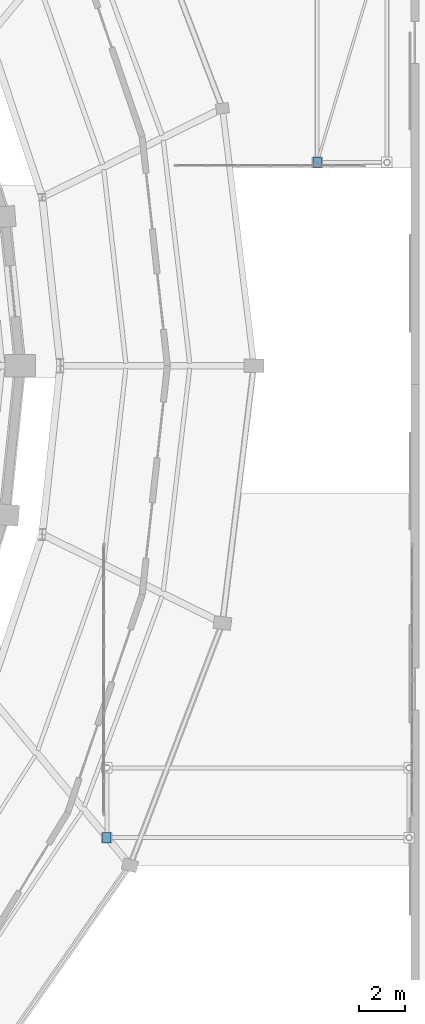
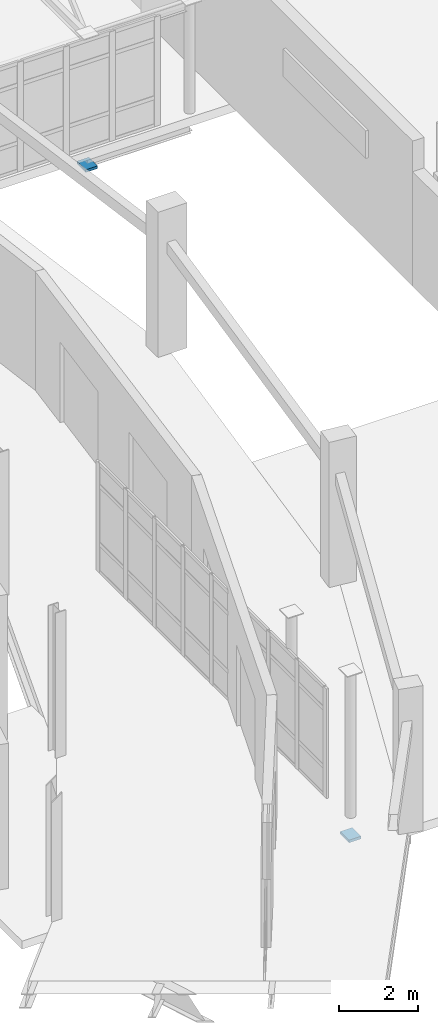
# One storey, part 115 of 122: 2 discrete accessories.
"""IFC4 building model written with IfcOpenShell, lengths in metres."""

from ifc_helpers import new_model, si_unit, direction, frame, origin, origin_2d, place, context, subcontext, project, spatial, rectangle, extrude, material, type_object, element, save


model = new_model("IFC4")

# Units and contexts
model_context = context("Model", 3, precision=1e-05, world=origin(), true_north=direction((0.0, 1.0)))
body_context = subcontext(model_context, "Body", "Model", "MODEL_VIEW")
ifc_project = project(units=[si_unit("LENGTHUNIT", "METRE"), si_unit("AREAUNIT", "SQUARE_METRE"), si_unit("VOLUMEUNIT", "CUBIC_METRE"), si_unit("PLANEANGLEUNIT", "RADIAN"), si_unit("MASSUNIT", "GRAM", prefix="KILO")], contexts=[model_context])

# Site, building, storey
site_placement = place(None, origin())
site = spatial("IfcSite", under=ifc_project, at=site_placement, CompositionType="ELEMENT")
building_placement = place(site_placement, origin())
building = spatial("IfcBuilding", under=site, at=building_placement, Name="Sohan Crest Arena", CompositionType="ELEMENT")
storey_placement = place(building_placement, origin())
storey = spatial("IfcBuildingStorey", under=building, at=storey_placement, Name="L00", CompositionType="ELEMENT", Elevation=0.0)

# Discrete accessories
ifc_material = material(Name="Steel S355", Category="steel")
discrete_accessory_type = type_object("IfcDiscreteAccessoryType", Name="STR-ACC-SLB1", PredefinedType="USERDEFINED", material=ifc_material)
for number, where, z_axis, x_axis, name in (
    (1, (181.75, 57.699951171875, -0.655029296875), (0.0, 0.0, 1.0), (1.0, 0.0, 0.0), "Unguided PTFE sliding bridge bearing BR-E1"),
    (2, (190.800048828125, 86.75, -0.655029296875), (0.0, 0.0, 1.0), (1.0, 0.0, 0.0), "Unguided PTFE sliding bridge bearing BR-E2"),
):
    element("IfcDiscreteAccessory", number, at=place(storey_placement, frame(where, z_axis=z_axis, x_axis=x_axis)), inside=storey, type_object=discrete_accessory_type, Name=name, ObjectType="SLIDING BEARING", PredefinedType="USERDEFINED", context=body_context, shape_type="SweptSolid", body=[
        extrude(rectangle(XDim=0.35009765625, YDim=0.449951171875, at=origin_2d()), origin(), (0.0, 0.0, 1.0), 0.080078125),
    ])

save(model, "model.ifc")
